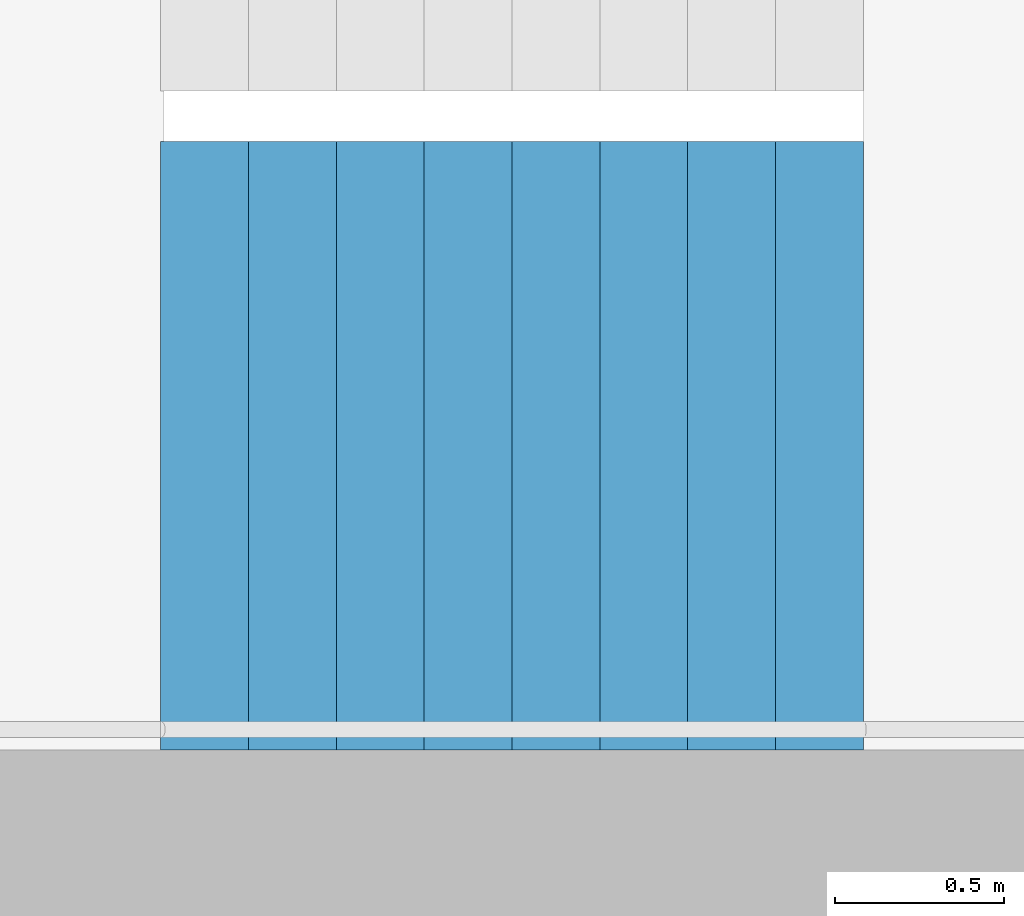
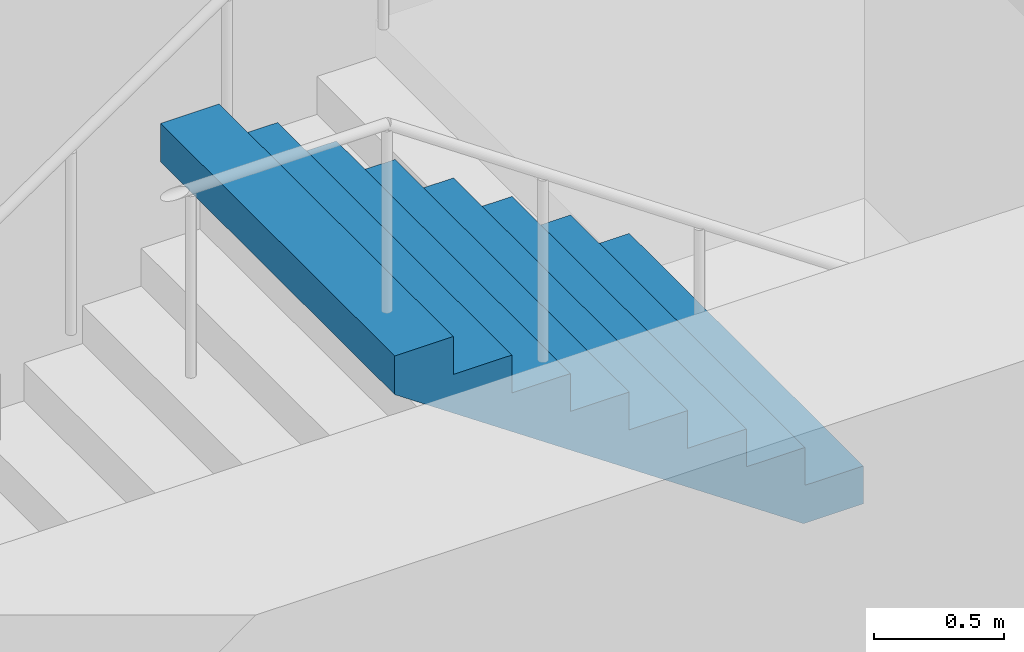
# One storey, part 23 of 27: 1 stair flight, 1 element without a shape of its own.
"""IFC4 building model written with IfcOpenShell, lengths in metres."""

import ifcopenshell
import ifcopenshell.guid

model = None  # the IFC model being written
_history = None  # IfcOwnerHistory: only IFC2X3 demands one
_inside = {}  # id of a spatial element -> (the spatial element, [elements in it])
_under = {}  # id of a project, library or spatial element -> (it, [spatial elements below it])
_declared = {}  # id of a project -> (the project, [libraries it declares])
_typed = {}  # id of a type object -> (the type object, [elements of that type])
_made_of = {}  # id of a material, layer set ... -> (it, [elements and type objects made of it])


def new_model(schema):
    """Start an empty IFC model of exactly this schema.

    Asked for "IFC4X3", IfcOpenShell would pick the latest addendum, in which some entities
    have other attributes; the version numbers below select the first issue.
    IFC2X3 requires an IfcOwnerHistory on every rooted entity: one is made here for all.
    """
    global model, _history
    if schema == "IFC4X3":
        model = ifcopenshell.file(schema_version=(4, 3, 0, 0))
    else:
        model = ifcopenshell.file(schema=schema)
    _inside.clear()
    _under.clear()
    _declared.clear()
    _typed.clear()
    _made_of.clear()
    _history = None
    if model.schema == "IFC2X3":
        org = make("IfcOrganization", Name="unknown")
        user = make(
            "IfcPersonAndOrganization",
            ThePerson=make("IfcPerson", FamilyName="unknown"),
            TheOrganization=org,
        )
        app = make(
            "IfcApplication",
            ApplicationDeveloper=org,
            Version="unknown",
            ApplicationFullName="unknown",
            ApplicationIdentifier="unknown",
        )
        _history = make(
            "IfcOwnerHistory",
            OwningUser=user,
            OwningApplication=app,
            ChangeAction="ADDED",
            CreationDate=0,
        )
    return model


def make(cls, **values):
    """One entity of the class cls with the attributes given. An attribute that is None is left unset."""
    return model.create_entity(
        cls, **{name: value for name, value in values.items() if value is not None}
    )


def rooted(cls, **values):
    """An entity with a GlobalId (a new one), such as an element, a storey or a relation."""
    return make(cls, GlobalId=ifcopenshell.guid.new(), OwnerHistory=_history, **values)


def si_unit(unit_type, name, prefix=None):
    """IfcSIUnit, for example si_unit("LENGTHUNIT", "METRE", prefix="MILLI")."""
    return make("IfcSIUnit", UnitType=unit_type, Prefix=prefix, Name=name)


def assignment(units):
    """IfcUnitAssignment: the units of a project."""
    return None if units is None else make("IfcUnitAssignment", Units=units)


def point(xyz):
    """IfcCartesianPoint."""
    return None if xyz is None else make("IfcCartesianPoint", Coordinates=xyz)


def direction(xyz):
    """IfcDirection."""
    return None if xyz is None else make("IfcDirection", DirectionRatios=xyz)


def frame(location, z_axis=None, x_axis=None):
    """IfcAxis2Placement3D, a coordinate frame: its origin and axes. An axis left out is left unset."""
    return make(
        "IfcAxis2Placement3D",
        Location=point(location),
        Axis=direction(z_axis),
        RefDirection=direction(x_axis),
    )


def origin():
    """The frame at (0, 0, 0) with its axes left unset."""
    return frame((0.0, 0.0, 0.0))


def place(relative_to, where):
    """IfcLocalPlacement: puts the frame where relative to a parent placement (None: the world)."""
    return make(
        "IfcLocalPlacement", PlacementRelTo=relative_to, RelativePlacement=where
    )


def context(
    kind, dimensions, precision=None, world=None, true_north=None, identifier=None
):
    """IfcGeometricRepresentationContext, for example the 3D "Model" context."""
    return make(
        "IfcGeometricRepresentationContext",
        ContextIdentifier=identifier,
        ContextType=kind,
        CoordinateSpaceDimension=dimensions,
        Precision=precision,
        WorldCoordinateSystem=world,
        TrueNorth=true_north,
    )


def subcontext(parent, identifier, kind, view, scale=None):
    """IfcGeometricRepresentationSubContext, for example "Body" below "Model"."""
    return make(
        "IfcGeometricRepresentationSubContext",
        ContextIdentifier=identifier,
        ContextType=kind,
        ParentContext=parent,
        TargetScale=scale,
        TargetView=view,
    )


def project(units=None, contexts=None):
    """IfcProject with its units and contexts."""
    return rooted(
        "IfcProject",
        Name="project",
        RepresentationContexts=contexts,
        UnitsInContext=assignment(units),
    )


def spatial(cls, under=None, at=None, **own):
    """A site, building, storey or space (cls), placed at a placement, below another one or the project."""
    s = rooted(cls, ObjectPlacement=at, **own)
    if under is not None:
        _under.setdefault(under.id(), (under, []))[1].append(s)
    return s


def point_list(points):
    """IfcCartesianPointList2D or 3D."""
    cls = (
        "IfcCartesianPointList2D" if len(points[0]) == 2 else "IfcCartesianPointList3D"
    )
    return make(cls, CoordList=points)


def triangles(points, corners, closed=None, point_numbers=None):
    """IfcTriangulatedFaceSet: each triangle names its three corners, points numbered from 1."""
    return make(
        "IfcTriangulatedFaceSet",
        Coordinates=point_list(points),
        Closed=closed,
        CoordIndex=corners,
        PnIndex=point_numbers,
    )


def shape(context_of_items, identifier, shape_type, items):
    """IfcShapeRepresentation: the items that make up one representation, for example the "Body"."""
    return make(
        "IfcShapeRepresentation",
        ContextOfItems=context_of_items,
        RepresentationIdentifier=identifier,
        RepresentationType=shape_type,
        Items=items,
    )


def material(Name=None, Category=None):
    """IfcMaterial."""
    return make("IfcMaterial", Name=Name, Category=Category)


def made_of(thing, what):
    """Note that an element or type object is made of a material, layer set ...; save() writes the relation."""
    if what is not None:
        _made_of.setdefault(what.id(), (what, []))[1].append(thing)
    return thing


def type_object(cls, material=None, **own):
    """A type object (cls), such as IfcWallType, which elements share."""
    return made_of(rooted(cls, **own), material)


def element(
    cls,
    number,
    at=None,
    inside=None,
    cuts=None,
    type_object=None,
    material=None,
    context=None,
    identifier="Body",
    shape_type=None,
    held_by="IfcProductDefinitionShape",
    body=None,
    shapes=None,
    **own,
):
    """One element of the class cls, such as IfcWall. Its Tag is "e" and its number.

    at: its placement. inside: the storey or other place that contains it. cuts: it is an
    opening in that element (IfcRelVoidsElement). A single representation is given by context,
    identifier, shape_type and body (its items); several are given by shapes. held_by: the class
    of the entity that holds the representations. save() writes the other relations.
    """
    e = rooted(cls, Tag="e%d" % number, ObjectPlacement=at, **own)
    if body is not None:
        shapes = [shape(context, identifier, shape_type, body)]
    if shapes is not None:
        e.Representation = make(held_by, Representations=shapes)
    if inside is not None:
        _inside.setdefault(inside.id(), (inside, []))[1].append(e)
    if cuts is not None:
        rooted(
            "IfcRelVoidsElement", RelatingBuildingElement=cuts, RelatedOpeningElement=e
        )
    if type_object is not None:
        _typed.setdefault(type_object.id(), (type_object, []))[1].append(e)
    return made_of(e, material)


def aggregate(whole, parts):
    """IfcRelAggregates: a whole, such as a stair, and the parts it consists of."""
    return rooted("IfcRelAggregates", RelatingObject=whole, RelatedObjects=parts)


def save(model, path):
    """Write the relations noted so far, then the file.

    IfcRelAggregates (storeys below a building ...), IfcRelContainedInSpatialStructure (elements
    in a storey), IfcRelDefinesByType, IfcRelAssociatesMaterial and IfcRelDeclares: one each for
    every whole, place, type object, material and project.
    """
    for whole, parts in _under.values():
        aggregate(whole, parts)
    for where, things in _inside.values():
        rooted(
            "IfcRelContainedInSpatialStructure",
            RelatedElements=things,
            RelatingStructure=where,
        )
    for kind, things in _typed.values():
        rooted("IfcRelDefinesByType", RelatedObjects=things, RelatingType=kind)
    for what, things in _made_of.values():
        rooted("IfcRelAssociatesMaterial", RelatedObjects=things, RelatingMaterial=what)
    for by, libraries in _declared.values():
        rooted("IfcRelDeclares", RelatingContext=by, RelatedDefinitions=libraries)
    model.write(path)


model = new_model("IFC4")

# Units and contexts
model_context = context("Model", 3, precision=1e-05, world=origin(), true_north=direction((0.0, 1.0)))
body_context = subcontext(model_context, "Body", "Model", "MODEL_VIEW")
ifc_project = project(units=[si_unit("LENGTHUNIT", "METRE"), si_unit("AREAUNIT", "SQUARE_METRE"), si_unit("VOLUMEUNIT", "CUBIC_METRE"), si_unit("PLANEANGLEUNIT", "RADIAN"), si_unit("MASSUNIT", "GRAM", prefix="KILO")], contexts=[model_context])

# Site, building, storey
site_placement = place(None, origin())
site = spatial("IfcSite", under=ifc_project, at=site_placement, CompositionType="ELEMENT")
building_placement = place(site_placement, origin())
building = spatial("IfcBuilding", under=site, at=building_placement, Name="Hakoniwa Tower and Hamabe Station Hall", CompositionType="ELEMENT")
storey_placement = place(building_placement, frame((0.0, 0.0, 248.60009765625)))
storey = spatial("IfcBuildingStorey", under=building, at=storey_placement, Name="L70", CompositionType="ELEMENT", Elevation=248.60009765625)

# Stair, stair flight
ifc_material_1 = material(Name="Concrete C40", Category="concrete")
stair_type = type_object("IfcStairType", Name="ESCAPE STAIR 1800", PredefinedType="HALF_TURN_STAIR", material=ifc_material_1)
stair_placement = place(storey_placement, origin())
stair = element("IfcStair", 1, at=stair_placement, inside=storey, type_object=stair_type, Name="Escape stair ST-4 L70", PredefinedType="HALF_TURN_STAIR")
ifc_material_2 = material(Name="Concrete C40", Category="concrete")
stair_flight_type = type_object("IfcStairFlightType", Name="STAIR FLIGHT 1800", PredefinedType="STRAIGHT", material=ifc_material_2)
stair_flight_placement = place(storey_placement, frame((25.47998046875, -6.60009765625, 1.599853515625), z_axis=(0.0, 0.0, 1.0), x_axis=(-1.0, 0.0, 0.0)))
stair_flight = element("IfcStairFlight", 2, at=stair_flight_placement, type_object=stair_flight_type, Name="ST-4 flight 2", NumberOfRisers=9, NumberOfTreads=8, PredefinedType="STRAIGHT", RiserHeight=0.177777778, TreadLength=0.26, context=body_context, shape_type="Tessellation", body=[
    triangles([(0.0, 0.89990234375, 0.0), (0.260009765625, 0.89990234375, 0.0), (0.265625, 0.89990234375, 0.0), (0.52001953125, 0.89990234375, 0.174072265625), (0.780029296875, 0.89990234375, 0.351806640625), (1.0400390625, 0.89990234375, 0.529541015625), (1.300048828125, 0.89990234375, 0.707275390625), (1.56005859375, 0.89990234375, 0.885009765625), (1.820068359375, 0.89990234375, 1.062744140625), (2.080078125, 0.89990234375, 1.24072265625), (2.080078125, 0.89990234375, 1.422119140625), (1.820068359375, 0.89990234375, 1.422119140625), (1.820068359375, 0.89990234375, 1.244384765625), (1.56005859375, 0.89990234375, 1.244384765625), (1.56005859375, 0.89990234375, 1.066650390625), (1.300048828125, 0.89990234375, 1.066650390625), (1.300048828125, 0.89990234375, 0.888916015625), (1.0400390625, 0.89990234375, 0.888916015625), (1.0400390625, 0.89990234375, 0.711181640625), (0.780029296875, 0.89990234375, 0.711181640625), (0.780029296875, 0.89990234375, 0.533447265625), (0.52001953125, 0.89990234375, 0.533447265625), (0.52001953125, 0.89990234375, 0.35546875), (0.265625, 0.89990234375, 0.35546875), (0.260009765625, 0.89990234375, 0.35546875), (0.260009765625, 0.89990234375, 0.177734375), (0.0, 0.89990234375, 0.177734375), (0.0, 0.06005859375, 0.0), (0.260009765625, 0.06005859375, 0.0), (0.265625, 0.06005859375, 0.0), (0.52001953125, 0.06005859375, 0.174072265625), (0.780029296875, 0.06005859375, 0.351806640625), (1.0400390625, 0.06005859375, 0.529541015625), (1.300048828125, 0.06005859375, 0.707275390625), (1.56005859375, 0.06005859375, 0.885009765625), (1.820068359375, 0.06005859375, 1.062744140625), (2.080078125, 0.06005859375, 1.24072265625), (2.080078125, 0.06005859375, 1.422119140625), (1.820068359375, 0.06005859375, 1.422119140625), (1.820068359375, 0.06005859375, 1.244384765625), (1.56005859375, 0.06005859375, 1.244384765625), (1.56005859375, 0.06005859375, 1.066650390625), (1.300048828125, 0.06005859375, 1.066650390625), (1.300048828125, 0.06005859375, 0.888916015625), (1.0400390625, 0.06005859375, 0.888916015625), (1.0400390625, 0.06005859375, 0.711181640625), (0.780029296875, 0.06005859375, 0.711181640625), (0.780029296875, 0.06005859375, 0.533447265625), (0.52001953125, 0.06005859375, 0.533447265625), (0.52001953125, 0.06005859375, 0.35546875), (0.265625, 0.06005859375, 0.35546875), (0.260009765625, 0.06005859375, 0.35546875), (0.260009765625, 0.06005859375, 0.177734375), (0.0, 0.06005859375, 0.177734375), (0.0, 0.04296875, 0.0), (0.260009765625, 0.04296875, 0.0), (0.265625, 0.04296875, 0.0), (0.52001953125, 0.04296875, 0.174072265625), (0.780029296875, 0.04296875, 0.351806640625), (1.0400390625, 0.04296875, 0.529541015625), (1.300048828125, 0.04296875, 0.707275390625), (1.56005859375, 0.04296875, 0.885009765625), (1.820068359375, 0.04296875, 1.062744140625), (2.080078125, 0.04296875, 1.24072265625), (2.080078125, 0.04296875, 1.422119140625), (1.820068359375, 0.04296875, 1.422119140625), (1.820068359375, 0.04296875, 1.244384765625), (1.56005859375, 0.04296875, 1.244384765625), (1.56005859375, 0.04296875, 1.066650390625), (1.300048828125, 0.04296875, 1.066650390625), (1.300048828125, 0.04296875, 0.888916015625), (1.0400390625, 0.04296875, 0.888916015625), (1.0400390625, 0.04296875, 0.711181640625), (0.780029296875, 0.04296875, 0.711181640625), (0.780029296875, 0.04296875, 0.533447265625), (0.52001953125, 0.04296875, 0.533447265625), (0.52001953125, 0.04296875, 0.35546875), (0.265625, 0.04296875, 0.35546875), (0.260009765625, 0.04296875, 0.35546875), (0.260009765625, 0.04296875, 0.177734375), (0.0, 0.04296875, 0.177734375), (0.0, 0.025634765625, 0.0), (0.260009765625, 0.025634765625, 0.0), (0.265625, 0.025634765625, 0.0), (0.52001953125, 0.025634765625, 0.174072265625), (0.780029296875, 0.025634765625, 0.351806640625), (1.0400390625, 0.025634765625, 0.529541015625), (1.300048828125, 0.025634765625, 0.707275390625), (1.56005859375, 0.025634765625, 0.885009765625), (1.820068359375, 0.025634765625, 1.062744140625), (2.080078125, 0.025634765625, 1.24072265625), (2.080078125, 0.025634765625, 1.422119140625), (1.820068359375, 0.025634765625, 1.422119140625), (1.820068359375, 0.025634765625, 1.244384765625), (1.56005859375, 0.025634765625, 1.244384765625), (1.56005859375, 0.025634765625, 1.066650390625), (1.300048828125, 0.025634765625, 1.066650390625), (1.300048828125, 0.025634765625, 0.888916015625), (1.0400390625, 0.025634765625, 0.888916015625), (1.0400390625, 0.025634765625, 0.711181640625), (0.780029296875, 0.025634765625, 0.711181640625), (0.780029296875, 0.025634765625, 0.533447265625), (0.52001953125, 0.025634765625, 0.533447265625), (0.52001953125, 0.025634765625, 0.35546875), (0.265625, 0.025634765625, 0.35546875), (0.260009765625, 0.025634765625, 0.35546875), (0.260009765625, 0.025634765625, 0.177734375), (0.0, 0.025634765625, 0.177734375), (0.0, 0.008544921875, 0.0), (0.260009765625, 0.008544921875, 0.0), (0.265625, 0.008544921875, 0.0), (0.52001953125, 0.008544921875, 0.174072265625), (0.780029296875, 0.008544921875, 0.351806640625), (1.0400390625, 0.008544921875, 0.529541015625), (1.300048828125, 0.008544921875, 0.707275390625), (1.56005859375, 0.008544921875, 0.885009765625), (1.820068359375, 0.008544921875, 1.062744140625), (2.080078125, 0.008544921875, 1.24072265625), (2.080078125, 0.008544921875, 1.422119140625), (1.820068359375, 0.008544921875, 1.422119140625), (1.820068359375, 0.008544921875, 1.244384765625), (1.56005859375, 0.008544921875, 1.244384765625), (1.56005859375, 0.008544921875, 1.066650390625), (1.300048828125, 0.008544921875, 1.066650390625), (1.300048828125, 0.008544921875, 0.888916015625), (1.0400390625, 0.008544921875, 0.888916015625), (1.0400390625, 0.008544921875, 0.711181640625), (0.780029296875, 0.008544921875, 0.711181640625), (0.780029296875, 0.008544921875, 0.533447265625), (0.52001953125, 0.008544921875, 0.533447265625), (0.52001953125, 0.008544921875, 0.35546875), (0.265625, 0.008544921875, 0.35546875), (0.260009765625, 0.008544921875, 0.35546875), (0.260009765625, 0.008544921875, 0.177734375), (0.0, 0.008544921875, 0.177734375), (0.0, -0.008544921875, 0.0), (0.260009765625, -0.008544921875, 0.0), (0.265625, -0.008544921875, 0.0), (0.52001953125, -0.008544921875, 0.174072265625), (0.780029296875, -0.008544921875, 0.351806640625), (1.0400390625, -0.008544921875, 0.529541015625), (1.300048828125, -0.008544921875, 0.707275390625), (1.56005859375, -0.008544921875, 0.885009765625), (1.820068359375, -0.008544921875, 1.062744140625), (2.080078125, -0.008544921875, 1.24072265625), (2.080078125, -0.008544921875, 1.422119140625), (1.820068359375, -0.008544921875, 1.422119140625), (1.820068359375, -0.008544921875, 1.244384765625), (1.56005859375, -0.008544921875, 1.244384765625), (1.56005859375, -0.008544921875, 1.066650390625), (1.300048828125, -0.008544921875, 1.066650390625), (1.300048828125, -0.008544921875, 0.888916015625), (1.0400390625, -0.008544921875, 0.888916015625), (1.0400390625, -0.008544921875, 0.711181640625), (0.780029296875, -0.008544921875, 0.711181640625), (0.780029296875, -0.008544921875, 0.533447265625), (0.52001953125, -0.008544921875, 0.533447265625), (0.52001953125, -0.008544921875, 0.35546875), (0.265625, -0.008544921875, 0.35546875), (0.260009765625, -0.008544921875, 0.35546875), (0.260009765625, -0.008544921875, 0.177734375), (0.0, -0.008544921875, 0.177734375), (0.0, -0.025634765625, 0.0), (0.260009765625, -0.025634765625, 0.0), (0.265625, -0.025634765625, 0.0), (0.52001953125, -0.025634765625, 0.174072265625), (0.780029296875, -0.025634765625, 0.351806640625), (1.0400390625, -0.025634765625, 0.529541015625), (1.300048828125, -0.025634765625, 0.707275390625), (1.56005859375, -0.025634765625, 0.885009765625), (1.820068359375, -0.025634765625, 1.062744140625), (2.080078125, -0.025634765625, 1.24072265625), (2.080078125, -0.025634765625, 1.422119140625), (1.820068359375, -0.025634765625, 1.422119140625), (1.820068359375, -0.025634765625, 1.244384765625), (1.56005859375, -0.025634765625, 1.244384765625), (1.56005859375, -0.025634765625, 1.066650390625), (1.300048828125, -0.025634765625, 1.066650390625), (1.300048828125, -0.025634765625, 0.888916015625), (1.0400390625, -0.025634765625, 0.888916015625), (1.0400390625, -0.025634765625, 0.711181640625), (0.780029296875, -0.025634765625, 0.711181640625), (0.780029296875, -0.025634765625, 0.533447265625), (0.52001953125, -0.025634765625, 0.533447265625), (0.52001953125, -0.025634765625, 0.35546875), (0.265625, -0.025634765625, 0.35546875), (0.260009765625, -0.025634765625, 0.35546875), (0.260009765625, -0.025634765625, 0.177734375), (0.0, -0.025634765625, 0.177734375), (0.0, -0.04296875, 0.0), (0.260009765625, -0.04296875, 0.0), (0.265625, -0.04296875, 0.0), (0.52001953125, -0.04296875, 0.174072265625), (0.780029296875, -0.04296875, 0.351806640625), (1.0400390625, -0.04296875, 0.529541015625), (1.300048828125, -0.04296875, 0.707275390625), (1.56005859375, -0.04296875, 0.885009765625), (1.820068359375, -0.04296875, 1.062744140625), (2.080078125, -0.04296875, 1.24072265625), (2.080078125, -0.04296875, 1.422119140625), (1.820068359375, -0.04296875, 1.422119140625), (1.820068359375, -0.04296875, 1.244384765625), (1.56005859375, -0.04296875, 1.244384765625), (1.56005859375, -0.04296875, 1.066650390625), (1.300048828125, -0.04296875, 1.066650390625), (1.300048828125, -0.04296875, 0.888916015625), (1.0400390625, -0.04296875, 0.888916015625), (1.0400390625, -0.04296875, 0.711181640625), (0.780029296875, -0.04296875, 0.711181640625), (0.780029296875, -0.04296875, 0.533447265625), (0.52001953125, -0.04296875, 0.533447265625), (0.52001953125, -0.04296875, 0.35546875), (0.265625, -0.04296875, 0.35546875), (0.260009765625, -0.04296875, 0.35546875), (0.260009765625, -0.04296875, 0.177734375), (0.0, -0.04296875, 0.177734375), (0.0, -0.06005859375, 0.0), (0.260009765625, -0.06005859375, 0.0), (0.265625, -0.06005859375, 0.0), (0.52001953125, -0.06005859375, 0.174072265625), (0.780029296875, -0.06005859375, 0.351806640625), (1.0400390625, -0.06005859375, 0.529541015625), (1.300048828125, -0.06005859375, 0.707275390625), (1.56005859375, -0.06005859375, 0.885009765625), (1.820068359375, -0.06005859375, 1.062744140625), (2.080078125, -0.06005859375, 1.24072265625), (2.080078125, -0.06005859375, 1.422119140625), (1.820068359375, -0.06005859375, 1.422119140625), (1.820068359375, -0.06005859375, 1.244384765625), (1.56005859375, -0.06005859375, 1.244384765625), (1.56005859375, -0.06005859375, 1.066650390625), (1.300048828125, -0.06005859375, 1.066650390625), (1.300048828125, -0.06005859375, 0.888916015625), (1.0400390625, -0.06005859375, 0.888916015625), (1.0400390625, -0.06005859375, 0.711181640625), (0.780029296875, -0.06005859375, 0.711181640625), (0.780029296875, -0.06005859375, 0.533447265625), (0.52001953125, -0.06005859375, 0.533447265625), (0.52001953125, -0.06005859375, 0.35546875), (0.265625, -0.06005859375, 0.35546875), (0.260009765625, -0.06005859375, 0.35546875), (0.260009765625, -0.06005859375, 0.177734375), (0.0, -0.06005859375, 0.177734375), (0.0, -0.89990234375, 0.0), (0.260009765625, -0.89990234375, 0.0), (0.265625, -0.89990234375, 0.0), (0.52001953125, -0.89990234375, 0.174072265625), (0.780029296875, -0.89990234375, 0.351806640625), (1.0400390625, -0.89990234375, 0.529541015625), (1.300048828125, -0.89990234375, 0.707275390625), (1.56005859375, -0.89990234375, 0.885009765625), (1.820068359375, -0.89990234375, 1.062744140625), (2.080078125, -0.89990234375, 1.24072265625), (2.080078125, -0.89990234375, 1.422119140625), (1.820068359375, -0.89990234375, 1.422119140625), (1.820068359375, -0.89990234375, 1.244384765625), (1.56005859375, -0.89990234375, 1.244384765625), (1.56005859375, -0.89990234375, 1.066650390625), (1.300048828125, -0.89990234375, 1.066650390625), (1.300048828125, -0.89990234375, 0.888916015625), (1.0400390625, -0.89990234375, 0.888916015625), (1.0400390625, -0.89990234375, 0.711181640625), (0.780029296875, -0.89990234375, 0.711181640625), (0.780029296875, -0.89990234375, 0.533447265625), (0.52001953125, -0.89990234375, 0.533447265625), (0.52001953125, -0.89990234375, 0.35546875), (0.265625, -0.89990234375, 0.35546875), (0.260009765625, -0.89990234375, 0.35546875), (0.260009765625, -0.89990234375, 0.177734375), (0.0, -0.89990234375, 0.177734375)], [[2, 27, 26], [245, 269, 270], [2, 1, 27], [245, 270, 244], [3, 25, 24], [246, 267, 268], [3, 26, 25], [246, 268, 269], [3, 2, 26], [246, 269, 245], [4, 24, 23], [247, 266, 267], [4, 3, 24], [247, 267, 246], [5, 22, 21], [248, 264, 265], [5, 23, 22], [248, 265, 266], [5, 4, 23], [248, 266, 247], [6, 20, 19], [249, 262, 263], [6, 21, 20], [249, 263, 264], [6, 5, 21], [249, 264, 248], [7, 18, 17], [250, 260, 261], [7, 19, 18], [250, 261, 262], [7, 6, 19], [250, 262, 249], [8, 16, 15], [251, 258, 259], [8, 17, 16], [251, 259, 260], [8, 7, 17], [251, 260, 250], [9, 14, 13], [252, 256, 257], [9, 15, 14], [252, 257, 258], [9, 8, 15], [252, 258, 251], [10, 12, 11], [253, 254, 255], [10, 13, 12], [253, 255, 256], [10, 9, 13], [253, 256, 252], [1, 2, 29], [1, 29, 28], [28, 29, 56], [28, 56, 55], [55, 56, 83], [55, 83, 82], [82, 83, 110], [82, 110, 109], [109, 110, 137], [109, 137, 136], [136, 137, 164], [136, 164, 163], [163, 164, 191], [163, 191, 190], [190, 191, 218], [190, 218, 217], [217, 218, 245], [217, 245, 244], [2, 3, 30], [2, 30, 29], [29, 30, 57], [29, 57, 56], [56, 57, 84], [56, 84, 83], [83, 84, 111], [83, 111, 110], [110, 111, 138], [110, 138, 137], [137, 138, 165], [137, 165, 164], [164, 165, 192], [164, 192, 191], [191, 192, 219], [191, 219, 218], [218, 219, 246], [218, 246, 245], [3, 4, 31], [3, 31, 30], [30, 31, 58], [30, 58, 57], [57, 58, 85], [57, 85, 84], [84, 85, 112], [84, 112, 111], [111, 112, 139], [111, 139, 138], [138, 139, 166], [138, 166, 165], [165, 166, 193], [165, 193, 192], [192, 193, 220], [192, 220, 219], [219, 220, 247], [219, 247, 246], [4, 5, 32], [4, 32, 31], [31, 32, 59], [31, 59, 58], [58, 59, 86], [58, 86, 85], [85, 86, 113], [85, 113, 112], [112, 113, 140], [112, 140, 139], [139, 140, 167], [139, 167, 166], [166, 167, 194], [166, 194, 193], [193, 194, 221], [193, 221, 220], [220, 221, 248], [220, 248, 247], [5, 6, 33], [5, 33, 32], [32, 33, 60], [32, 60, 59], [59, 60, 87], [59, 87, 86], [86, 87, 114], [86, 114, 113], [113, 114, 141], [113, 141, 140], [140, 141, 168], [140, 168, 167], [167, 168, 195], [167, 195, 194], [194, 195, 222], [194, 222, 221], [221, 222, 249], [221, 249, 248], [6, 7, 34], [6, 34, 33], [33, 34, 61], [33, 61, 60], [60, 61, 88], [60, 88, 87], [87, 88, 115], [87, 115, 114], [114, 115, 142], [114, 142, 141], [141, 142, 169], [141, 169, 168], [168, 169, 196], [168, 196, 195], [195, 196, 223], [195, 223, 222], [222, 223, 250], [222, 250, 249], [7, 8, 35], [7, 35, 34], [34, 35, 62], [34, 62, 61], [61, 62, 89], [61, 89, 88], [88, 89, 116], [88, 116, 115], [115, 116, 143], [115, 143, 142], [142, 143, 170], [142, 170, 169], [169, 170, 197], [169, 197, 196], [196, 197, 224], [196, 224, 223], [223, 224, 251], [223, 251, 250], [8, 9, 36], [8, 36, 35], [35, 36, 63], [35, 63, 62], [62, 63, 90], [62, 90, 89], [89, 90, 117], [89, 117, 116], [116, 117, 144], [116, 144, 143], [143, 144, 171], [143, 171, 170], [170, 171, 198], [170, 198, 197], [197, 198, 225], [197, 225, 224], [224, 225, 252], [224, 252, 251], [9, 10, 37], [9, 37, 36], [36, 37, 64], [36, 64, 63], [63, 64, 91], [63, 91, 90], [90, 91, 118], [90, 118, 117], [117, 118, 145], [117, 145, 144], [144, 145, 172], [144, 172, 171], [171, 172, 199], [171, 199, 198], [198, 199, 226], [198, 226, 225], [225, 226, 253], [225, 253, 252], [10, 11, 38], [10, 38, 37], [37, 38, 65], [37, 65, 64], [64, 65, 92], [64, 92, 91], [91, 92, 119], [91, 119, 118], [118, 119, 146], [118, 146, 145], [145, 146, 173], [145, 173, 172], [172, 173, 200], [172, 200, 199], [199, 200, 227], [199, 227, 226], [226, 227, 254], [226, 254, 253], [11, 12, 39], [11, 39, 38], [38, 39, 66], [38, 66, 65], [65, 66, 93], [65, 93, 92], [92, 93, 120], [92, 120, 119], [119, 120, 147], [119, 147, 146], [146, 147, 174], [146, 174, 173], [173, 174, 201], [173, 201, 200], [200, 201, 228], [200, 228, 227], [227, 228, 255], [227, 255, 254], [12, 13, 40], [12, 40, 39], [39, 40, 67], [39, 67, 66], [66, 67, 94], [66, 94, 93], [93, 94, 121], [93, 121, 120], [120, 121, 148], [120, 148, 147], [147, 148, 175], [147, 175, 174], [174, 175, 202], [174, 202, 201], [201, 202, 229], [201, 229, 228], [228, 229, 256], [228, 256, 255], [13, 14, 41], [13, 41, 40], [40, 41, 68], [40, 68, 67], [67, 68, 95], [67, 95, 94], [94, 95, 122], [94, 122, 121], [121, 122, 149], [121, 149, 148], [148, 149, 176], [148, 176, 175], [175, 176, 203], [175, 203, 202], [202, 203, 230], [202, 230, 229], [229, 230, 257], [229, 257, 256], [14, 15, 42], [14, 42, 41], [41, 42, 69], [41, 69, 68], [68, 69, 96], [68, 96, 95], [95, 96, 123], [95, 123, 122], [122, 123, 150], [122, 150, 149], [149, 150, 177], [149, 177, 176], [176, 177, 204], [176, 204, 203], [203, 204, 231], [203, 231, 230], [230, 231, 258], [230, 258, 257], [15, 16, 43], [15, 43, 42], [42, 43, 70], [42, 70, 69], [69, 70, 97], [69, 97, 96], [96, 97, 124], [96, 124, 123], [123, 124, 151], [123, 151, 150], [150, 151, 178], [150, 178, 177], [177, 178, 205], [177, 205, 204], [204, 205, 232], [204, 232, 231], [231, 232, 259], [231, 259, 258], [16, 17, 44], [16, 44, 43], [43, 44, 71], [43, 71, 70], [70, 71, 98], [70, 98, 97], [97, 98, 125], [97, 125, 124], [124, 125, 152], [124, 152, 151], [151, 152, 179], [151, 179, 178], [178, 179, 206], [178, 206, 205], [205, 206, 233], [205, 233, 232], [232, 233, 260], [232, 260, 259], [17, 18, 45], [17, 45, 44], [44, 45, 72], [44, 72, 71], [71, 72, 99], [71, 99, 98], [98, 99, 126], [98, 126, 125], [125, 126, 153], [125, 153, 152], [152, 153, 180], [152, 180, 179], [179, 180, 207], [179, 207, 206], [206, 207, 234], [206, 234, 233], [233, 234, 261], [233, 261, 260], [18, 19, 46], [18, 46, 45], [45, 46, 73], [45, 73, 72], [72, 73, 100], [72, 100, 99], [99, 100, 127], [99, 127, 126], [126, 127, 154], [126, 154, 153], [153, 154, 181], [153, 181, 180], [180, 181, 208], [180, 208, 207], [207, 208, 235], [207, 235, 234], [234, 235, 262], [234, 262, 261], [19, 20, 47], [19, 47, 46], [46, 47, 74], [46, 74, 73], [73, 74, 101], [73, 101, 100], [100, 101, 128], [100, 128, 127], [127, 128, 155], [127, 155, 154], [154, 155, 182], [154, 182, 181], [181, 182, 209], [181, 209, 208], [208, 209, 236], [208, 236, 235], [235, 236, 263], [235, 263, 262], [20, 21, 48], [20, 48, 47], [47, 48, 75], [47, 75, 74], [74, 75, 102], [74, 102, 101], [101, 102, 129], [101, 129, 128], [128, 129, 156], [128, 156, 155], [155, 156, 183], [155, 183, 182], [182, 183, 210], [182, 210, 209], [209, 210, 237], [209, 237, 236], [236, 237, 264], [236, 264, 263], [21, 22, 49], [21, 49, 48], [48, 49, 76], [48, 76, 75], [75, 76, 103], [75, 103, 102], [102, 103, 130], [102, 130, 129], [129, 130, 157], [129, 157, 156], [156, 157, 184], [156, 184, 183], [183, 184, 211], [183, 211, 210], [210, 211, 238], [210, 238, 237], [237, 238, 265], [237, 265, 264], [22, 23, 50], [22, 50, 49], [49, 50, 77], [49, 77, 76], [76, 77, 104], [76, 104, 103], [103, 104, 131], [103, 131, 130], [130, 131, 158], [130, 158, 157], [157, 158, 185], [157, 185, 184], [184, 185, 212], [184, 212, 211], [211, 212, 239], [211, 239, 238], [238, 239, 266], [238, 266, 265], [23, 24, 51], [23, 51, 50], [50, 51, 78], [50, 78, 77], [77, 78, 105], [77, 105, 104], [104, 105, 132], [104, 132, 131], [131, 132, 159], [131, 159, 158], [158, 159, 186], [158, 186, 185], [185, 186, 213], [185, 213, 212], [212, 213, 240], [212, 240, 239], [239, 240, 267], [239, 267, 266], [24, 25, 52], [24, 52, 51], [51, 52, 79], [51, 79, 78], [78, 79, 106], [78, 106, 105], [105, 106, 133], [105, 133, 132], [132, 133, 160], [132, 160, 159], [159, 160, 187], [159, 187, 186], [186, 187, 214], [186, 214, 213], [213, 214, 241], [213, 241, 240], [240, 241, 268], [240, 268, 267], [25, 26, 53], [25, 53, 52], [52, 53, 80], [52, 80, 79], [79, 80, 107], [79, 107, 106], [106, 107, 134], [106, 134, 133], [133, 134, 161], [133, 161, 160], [160, 161, 188], [160, 188, 187], [187, 188, 215], [187, 215, 214], [214, 215, 242], [214, 242, 241], [241, 242, 269], [241, 269, 268], [26, 27, 54], [26, 54, 53], [53, 54, 81], [53, 81, 80], [80, 81, 108], [80, 108, 107], [107, 108, 135], [107, 135, 134], [134, 135, 162], [134, 162, 161], [161, 162, 189], [161, 189, 188], [188, 189, 216], [188, 216, 215], [215, 216, 243], [215, 243, 242], [242, 243, 270], [242, 270, 269], [27, 1, 28], [27, 28, 54], [54, 28, 55], [54, 55, 81], [81, 55, 82], [81, 82, 108], [108, 82, 109], [108, 109, 135], [135, 109, 136], [135, 136, 162], [162, 136, 163], [162, 163, 189], [189, 163, 190], [189, 190, 216], [216, 190, 217], [216, 217, 243], [243, 217, 244], [243, 244, 270]], closed=True),
])
aggregate(stair, [stair_flight])

save(model, "model.ifc")
